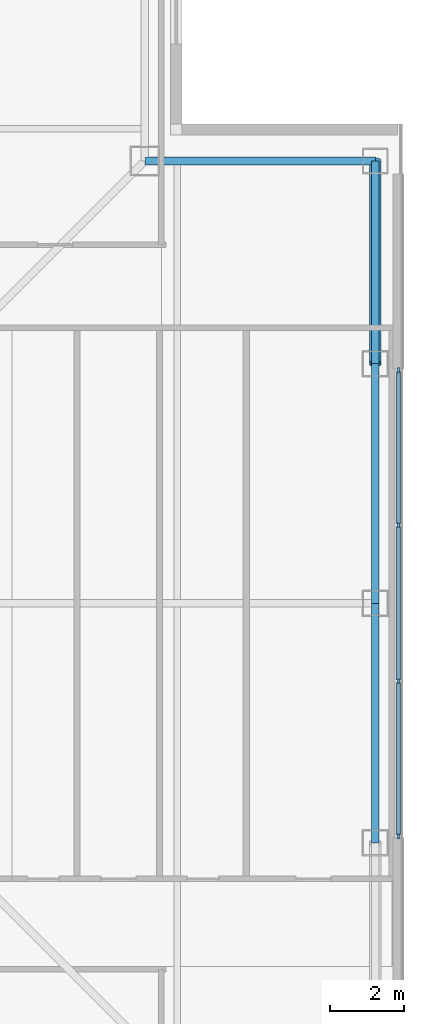
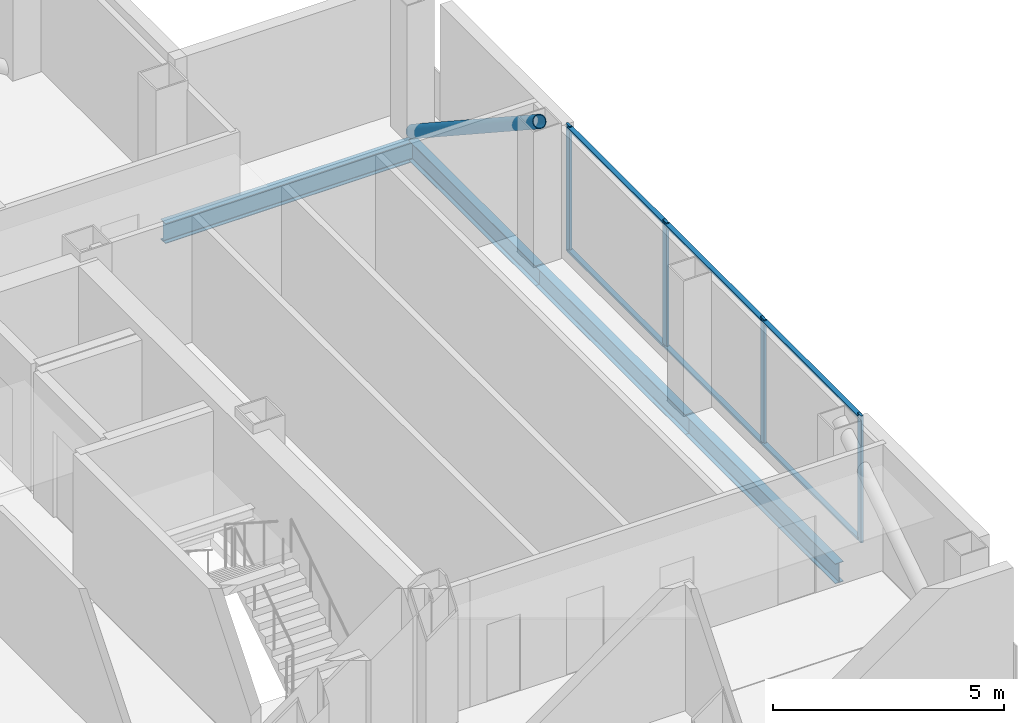
# One storey, part 6 of 16: 11 members, 4 beams, 1 element without a shape of its own.
"""IFC4 building model written with IfcOpenShell, lengths in metres."""

from ifc_helpers import new_model, si_unit, direction, frame, origin, origin_2d, place, context, subcontext, project, spatial, rectangle, hollow_circle, i_section, extrude, material, layer, layer_set, material_profile, profile_set, type_object, element, aggregate, save


model = new_model("IFC4")

# Units and contexts
model_context = context("Model", 3, precision=1e-05, world=origin(), true_north=direction((0.0, 1.0)))
body_context = subcontext(model_context, "Body", "Model", "MODEL_VIEW")
ifc_project = project(units=[si_unit("LENGTHUNIT", "METRE"), si_unit("AREAUNIT", "SQUARE_METRE"), si_unit("VOLUMEUNIT", "CUBIC_METRE"), si_unit("PLANEANGLEUNIT", "RADIAN"), si_unit("MASSUNIT", "GRAM", prefix="KILO")], contexts=[model_context])

# Site, building, storey
site_placement = place(None, origin())
site = spatial("IfcSite", under=ifc_project, at=site_placement, CompositionType="ELEMENT")
building_placement = place(site_placement, origin())
building = spatial("IfcBuilding", under=site, at=building_placement, Name="Trevonay Congress Spire", CompositionType="ELEMENT")
storey_placement = place(building_placement, frame((0.0, 0.0, 257.60009765625)))
storey = spatial("IfcBuildingStorey", under=building, at=storey_placement, Name="L67", CompositionType="ELEMENT", Elevation=257.60009765625)

# Beams
ifc_material_1 = material(Name="Steel ASTM A572 Grade 50", Category="steel")
ifc_material_profile_1 = material_profile(ifc_material_1, i_section(OverallWidth=0.208984375, OverallDepth=0.532958984375, WebThickness=0.01025390625, FlangeThickness=0.015625, FilletRadius=0.014892578125, at=origin_2d()), Name="W530x92")
ifc_profile_set_1 = profile_set([ifc_material_profile_1], Name="Steel ASTM A572 Grade 50")
beam_type = type_object("IfcBeamType", Name="BM-RING-W530X92", PredefinedType="BEAM", material=ifc_profile_set_1)
for number, where, z_axis, x_axis, name in (
    (1, (18.25, -6.5, -0.506591796875), (0.0, 1.0, 0.0), (-1.0, 0.0, 0.0), "L67 structural beam BM-L67-PE2"),
    (2, (18.25, 0.0, -0.506591796875), (0.0, 1.0, 0.0), (-1.0, 0.0, 0.0), "L67 structural beam BM-L67-PE3"),
):
    element("IfcBeam", number, at=place(storey_placement, frame(where, z_axis=z_axis, x_axis=x_axis)), inside=storey, type_object=beam_type, Name=name, PredefinedType="BEAM", context=body_context, shape_type="SweptSolid", body=[
        extrude(i_section(OverallWidth=0.208984375, OverallDepth=0.532958984375, WebThickness=0.01025390625, FlangeThickness=0.015625, FilletRadius=0.014892578125, at=origin_2d()), origin(), (0.0, 0.0, 1.0), 6.5),
    ])
beam_1_placement = place(storey_placement, frame((18.25, 6.5, -0.506591796875), z_axis=(0.0, 1.0, 0.0), x_axis=(-1.0, 0.0, 0.0)))
element("IfcBeam", 3, at=beam_1_placement, inside=storey, type_object=beam_type, Name="L67 structural beam BM-L67-PE4", PredefinedType="BEAM", context=body_context, shape_type="SweptSolid", body=[
    extrude(i_section(OverallWidth=0.208984375, OverallDepth=0.532958984375, WebThickness=0.01025390625, FlangeThickness=0.015625, FilletRadius=0.014892578125, at=origin_2d()), origin(), (0.0, 0.0, 1.0), 5.5),
])
beam_2_placement = place(storey_placement, frame((18.25, 12.0, -0.506591796875), z_axis=(-1.0, 0.0, 0.0), x_axis=(0.0, -1.0, 0.0)))
element("IfcBeam", 4, at=beam_2_placement, inside=storey, type_object=beam_type, Name="L67 structural beam BM-L67-N2NE", PredefinedType="BEAM", context=body_context, shape_type="SweptSolid", body=[
    extrude(i_section(OverallWidth=0.208984375, OverallDepth=0.532958984375, WebThickness=0.01025390625, FlangeThickness=0.015625, FilletRadius=0.014892578125, at=origin_2d()), origin(), (0.0, 0.0, 1.0), 6.25),
])

# Curtain wall, members
ifc_material_2 = material(Name="Pale Anodised Aluminium EN AW-6063-T6", Category="aluminium")
ifc_layer = layer(ifc_material_2, 0.1650390625, Name="Pale Anodised Aluminium EN AW-6063-T6")
ifc_layer_set = layer_set([ifc_layer], Name="Pale Anodised Aluminium EN AW-6063-T6")
curtain_wall_type = type_object("IfcCurtainWallType", Name="CW-SYS05-DIPLOM-PALE-METAL", PredefinedType="NOTDEFINED", material=ifc_layer_set)
curtain_wall_placement = place(storey_placement, origin())
curtain_wall = element("IfcCurtainWall", 5, at=curtain_wall_placement, inside=storey, type_object=curtain_wall_type, Name="L67 E unitised curtain wall", PredefinedType="NOTDEFINED")
ifc_material_profile_2 = material_profile(ifc_material_2, rectangle(XDim=0.06005859375, YDim=0.159912109375, at=origin_2d()), Name="CW-MULLION-160-ALUMINIUM")
ifc_profile_set_2 = profile_set([ifc_material_profile_2], Name="Pale Anodised Aluminium EN AW-6063-T6")
member_type_1 = type_object("IfcMemberType", Name="CW-MULLION-160-ALUMINIUM", PredefinedType="MULLION", material=ifc_profile_set_2)
member_1_placement = place(storey_placement, frame((18.8798828125, -6.320068359375, 0.0), z_axis=(0.0, 0.0, 1.0), x_axis=(-1.0, 0.0, 0.0)))
member_1 = element("IfcMember", 6, at=member_1_placement, type_object=member_type_1, Name="CW05 mullion 1", PredefinedType="MULLION", context=body_context, shape_type="SweptSolid", body=[
    extrude(rectangle(XDim=0.06005859375, YDim=0.159912109375, at=origin_2d()), origin(), (0.0, 0.0, 1.0), 3.35986328125),
])
member_2_placement = place(storey_placement, frame((18.8798828125, -2.11669921875, 0.0), z_axis=(0.0, 0.0, 1.0), x_axis=(-1.0, 0.0, 0.0)))
member_2 = element("IfcMember", 7, at=member_2_placement, type_object=member_type_1, Name="CW05 mullion 2", PredefinedType="MULLION", context=body_context, shape_type="SweptSolid", body=[
    extrude(rectangle(XDim=0.06005859375, YDim=0.159912109375, at=origin_2d()), origin(), (0.0, 0.0, 1.0), 3.35986328125),
])
member_3_placement = place(storey_placement, frame((18.8798828125, 2.11669921875, 0.0), z_axis=(0.0, 0.0, 1.0), x_axis=(-1.0, 0.0, 0.0)))
member_3 = element("IfcMember", 8, at=member_3_placement, type_object=member_type_1, Name="CW05 mullion 3", PredefinedType="MULLION", context=body_context, shape_type="SweptSolid", body=[
    extrude(rectangle(XDim=0.06005859375, YDim=0.159912109375, at=origin_2d()), origin(), (0.0, 0.0, 1.0), 3.35986328125),
])
member_4_placement = place(storey_placement, frame((18.8798828125, 6.320068359375, 0.0), z_axis=(0.0, 0.0, 1.0), x_axis=(-1.0, 0.0, 0.0)))
member_4 = element("IfcMember", 9, at=member_4_placement, type_object=member_type_1, Name="CW05 mullion 4", PredefinedType="MULLION", context=body_context, shape_type="SweptSolid", body=[
    extrude(rectangle(XDim=0.06005859375, YDim=0.159912109375, at=origin_2d()), origin(), (0.0, 0.0, 1.0), 3.35986328125),
])
ifc_material_profile_3 = material_profile(ifc_material_2, rectangle(XDim=0.1201171875, YDim=0.06005859375, at=origin_2d()), Name="CW-TRANSOM-120-ALUMINIUM")
ifc_profile_set_3 = profile_set([ifc_material_profile_3], Name="Pale Anodised Aluminium EN AW-6063-T6")
member_type_2 = type_object("IfcMemberType", Name="CW-TRANSOM-120-ALUMINIUM", PredefinedType="USERDEFINED", material=ifc_profile_set_3)
member_5_placement = place(storey_placement, frame((18.8798828125, -6.2900390625, 0.059814453125), z_axis=(0.0, 1.0, 0.0), x_axis=(-1.0, 0.0, 0.0)))
member_5 = element("IfcMember", 10, at=member_5_placement, type_object=member_type_2, Name="CW05 transom 1.1", ObjectType="TRANSOM", PredefinedType="USERDEFINED", context=body_context, shape_type="SweptSolid", body=[
    extrude(rectangle(XDim=0.1201171875, YDim=0.06005859375, at=origin_2d()), origin(), (0.0, 0.0, 1.0), 4.143310546875),
])
member_6_placement = place(storey_placement, frame((18.8798828125, -6.2900390625, 3.2998046875), z_axis=(0.0, 1.0, 0.0), x_axis=(-1.0, 0.0, 0.0)))
member_6 = element("IfcMember", 11, at=member_6_placement, type_object=member_type_2, Name="CW05 transom 1.2", ObjectType="TRANSOM", PredefinedType="USERDEFINED", context=body_context, shape_type="SweptSolid", body=[
    extrude(rectangle(XDim=0.1201171875, YDim=0.06005859375, at=origin_2d()), origin(), (0.0, 0.0, 1.0), 4.143310546875),
])
member_7_placement = place(storey_placement, frame((18.8798828125, -2.086669921875, 0.059814453125), z_axis=(0.0, 1.0, 0.0), x_axis=(-1.0, 0.0, 0.0)))
member_7 = element("IfcMember", 12, at=member_7_placement, type_object=member_type_2, Name="CW05 transom 2.1", ObjectType="TRANSOM", PredefinedType="USERDEFINED", context=body_context, shape_type="SweptSolid", body=[
    extrude(rectangle(XDim=0.1201171875, YDim=0.06005859375, at=origin_2d()), origin(), (0.0, 0.0, 1.0), 4.17333984375),
])
member_8_placement = place(storey_placement, frame((18.8798828125, -2.086669921875, 3.2998046875), z_axis=(0.0, 1.0, 0.0), x_axis=(-1.0, 0.0, 0.0)))
member_8 = element("IfcMember", 13, at=member_8_placement, type_object=member_type_2, Name="CW05 transom 2.2", ObjectType="TRANSOM", PredefinedType="USERDEFINED", context=body_context, shape_type="SweptSolid", body=[
    extrude(rectangle(XDim=0.1201171875, YDim=0.06005859375, at=origin_2d()), origin(), (0.0, 0.0, 1.0), 4.17333984375),
])
member_9_placement = place(storey_placement, frame((18.8798828125, 2.146728515625, 0.059814453125), z_axis=(0.0, 1.0, 0.0), x_axis=(-1.0, 0.0, 0.0)))
member_9 = element("IfcMember", 14, at=member_9_placement, type_object=member_type_2, Name="CW05 transom 3.1", ObjectType="TRANSOM", PredefinedType="USERDEFINED", context=body_context, shape_type="SweptSolid", body=[
    extrude(rectangle(XDim=0.1201171875, YDim=0.06005859375, at=origin_2d()), origin(), (0.0, 0.0, 1.0), 4.143310546875),
])
member_10_placement = place(storey_placement, frame((18.8798828125, 2.146728515625, 3.2998046875), z_axis=(0.0, 1.0, 0.0), x_axis=(-1.0, 0.0, 0.0)))
member_10 = element("IfcMember", 15, at=member_10_placement, type_object=member_type_2, Name="CW05 transom 3.2", ObjectType="TRANSOM", PredefinedType="USERDEFINED", context=body_context, shape_type="SweptSolid", body=[
    extrude(rectangle(XDim=0.1201171875, YDim=0.06005859375, at=origin_2d()), origin(), (0.0, 0.0, 1.0), 4.143310546875),
])
aggregate(curtain_wall, [member_1, member_2, member_3, member_4, member_5, member_6, member_7, member_8, member_9, member_10])

# Member
ifc_material_3 = material(Name="Steel ASTM A500 Grade C", Category="steel")
ifc_material_profile_4 = material_profile(ifc_material_3, hollow_circle(Radius=0.161865234375, WallThickness=0.01611328125, at=origin_2d()), Name="CHS 323.9x16")
ifc_profile_set_4 = profile_set([ifc_material_profile_4], Name="Steel ASTM A500 Grade C")
member_type_3 = type_object("IfcMemberType", Name="MBR-TUBE-CHS324", PredefinedType="BRACE", material=ifc_profile_set_4)
member_11_placement = place(storey_placement, frame((18.25, 12.0, -0.050048828125), z_axis=(0.0, -0.836711728151, 0.547643573845), x_axis=(1.0, 0.0, 0.0)))
element("IfcMember", 16, at=member_11_placement, inside=storey, type_object=member_type_3, Name="L67 perimeter braced-tube diagonal E3", PredefinedType="BRACE", context=body_context, shape_type="SweptSolid", body=[
    extrude(hollow_circle(Radius=0.161865234375, WallThickness=0.01611328125, at=origin_2d()), origin(), (0.0, 0.0, 1.0), 6.5732421875),
])

save(model, "model.ifc")
